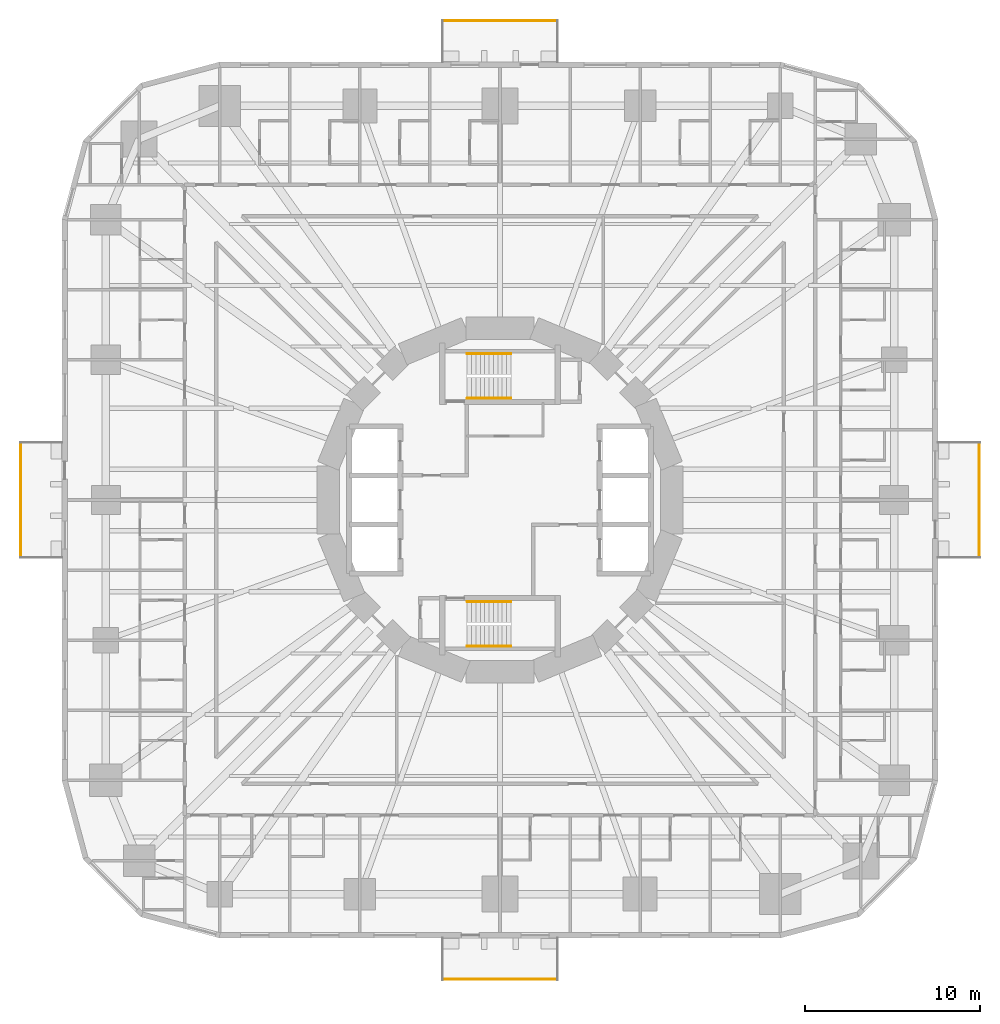
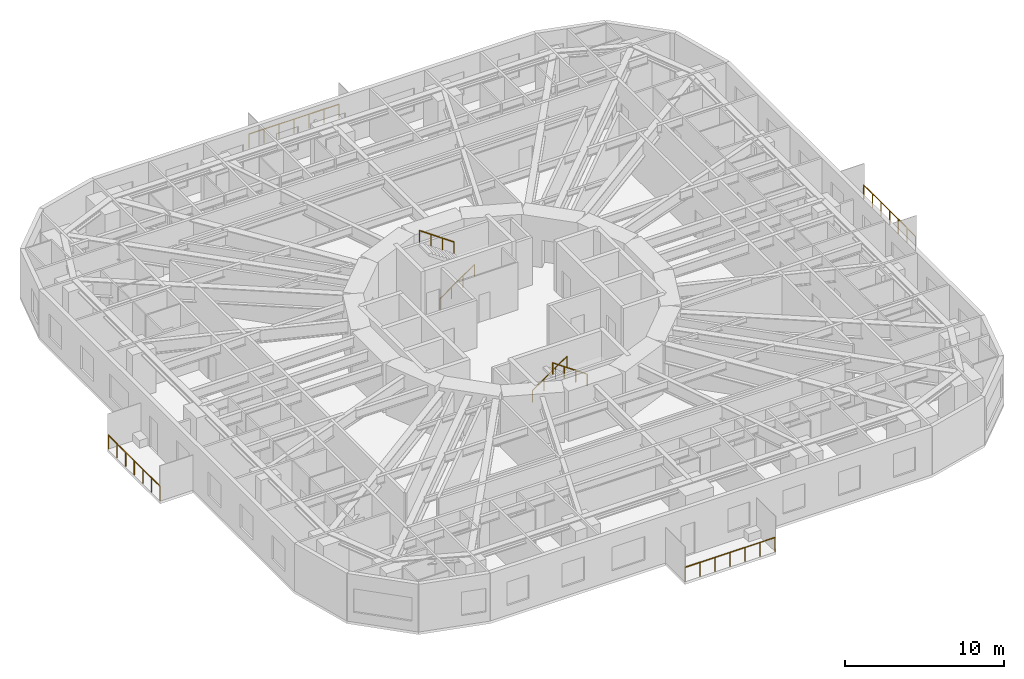
# One storey, part 13 of 14: 8 railings.
"""IFC4 building model written with IfcOpenShell, lengths in metres."""

from ifc_helpers import new_model, si_unit, direction, frame, origin, origin_2d, place, context, subcontext, project, spatial, circle, extrude, material, type_object, element, save


model = new_model("IFC4")

# Units and contexts
model_context = context("Model", 3, precision=1e-05, world=origin(), true_north=direction((0.0, 1.0)))
body_context = subcontext(model_context, "Body", "Model", "MODEL_VIEW")
ifc_project = project(units=[si_unit("LENGTHUNIT", "METRE"), si_unit("AREAUNIT", "SQUARE_METRE"), si_unit("VOLUMEUNIT", "CUBIC_METRE"), si_unit("PLANEANGLEUNIT", "RADIAN"), si_unit("MASSUNIT", "GRAM", prefix="KILO")], contexts=[model_context])

# Site, building, storey
site_placement = place(None, origin())
site = spatial("IfcSite", under=ifc_project, at=site_placement, CompositionType="ELEMENT")
building_placement = place(site_placement, origin())
building = spatial("IfcBuilding", under=site, at=building_placement, Name="Nakasero Lantern House", CompositionType="ELEMENT")
storey_placement = place(building_placement, frame((0.0, 0.0, 50.64990234375)))
storey = spatial("IfcBuildingStorey", under=building, at=storey_placement, Name="L12", CompositionType="ELEMENT", Elevation=50.64990234375)

# Railings
ifc_material_1 = material(Name="Aluminium 6063-T6", Category="aluminium")
railing_type_1 = type_object("IfcRailingType", Name="Balcony guard 1100", PredefinedType="BALUSTRADE", material=ifc_material_1)
railing_1_placement = place(storey_placement, frame((27.35009765625, -3.260009765625, 0.0)))
element("IfcRailing", 1, at=railing_1_placement, inside=storey, type_object=railing_type_1, Name="Balcony guard L12 BAL0", PredefinedType="BALUSTRADE", context=body_context, shape_type="SweptSolid", body=[
    extrude(circle(Radius=0.02392578125, at=origin_2d()), frame((0.0, 0.0, 1.076171875), z_axis=(0.0, 1.0, 0.0), x_axis=(-1.0, 0.0, 0.0)), (0.0, 0.0, 1.0), 6.52001953125),
    extrude(circle(Radius=0.02099609375, at=origin_2d()), origin(), (0.0, 0.0, 1.0), 1.052001953125),
    extrude(circle(Radius=0.02099609375, at=origin_2d()), frame((0.0, 1.086669921875, 0.0)), (0.0, 0.0, 1.0), 1.052001953125),
    extrude(circle(Radius=0.02099609375, at=origin_2d()), frame((0.0, 2.17333984375, 0.0)), (0.0, 0.0, 1.0), 1.052001953125),
    extrude(circle(Radius=0.02099609375, at=origin_2d()), frame((0.0, 3.260009765625, 0.0)), (0.0, 0.0, 1.0), 1.052001953125),
    extrude(circle(Radius=0.02099609375, at=origin_2d()), frame((0.0, 4.3466796875, 0.0)), (0.0, 0.0, 1.0), 1.052001953125),
    extrude(circle(Radius=0.02099609375, at=origin_2d()), frame((0.0, 5.433349609375, 0.0)), (0.0, 0.0, 1.0), 1.052001953125),
    extrude(circle(Radius=0.02099609375, at=origin_2d()), frame((0.0, 6.52001953125, 0.0)), (0.0, 0.0, 1.0), 1.052001953125),
])
railing_2_placement = place(storey_placement, frame((3.260009765625, 27.35009765625, 0.0)))
element("IfcRailing", 2, at=railing_2_placement, inside=storey, type_object=railing_type_1, Name="Balcony guard L12 BAL1", PredefinedType="BALUSTRADE", context=body_context, shape_type="SweptSolid", body=[
    extrude(circle(Radius=0.02392578125, at=origin_2d()), frame((0.0, 0.0, 1.076171875), z_axis=(-1.0, 0.0, 0.0), x_axis=(0.0, -1.0, 0.0)), (0.0, 0.0, 1.0), 6.52001953125),
    extrude(circle(Radius=0.02099609375, at=origin_2d()), origin(), (0.0, 0.0, 1.0), 1.052001953125),
    extrude(circle(Radius=0.02099609375, at=origin_2d()), frame((-1.086669921875, 0.0, 0.0)), (0.0, 0.0, 1.0), 1.052001953125),
    extrude(circle(Radius=0.02099609375, at=origin_2d()), frame((-2.17333984375, 0.0, 0.0)), (0.0, 0.0, 1.0), 1.052001953125),
    extrude(circle(Radius=0.02099609375, at=origin_2d()), frame((-3.260009765625, 0.0, 0.0)), (0.0, 0.0, 1.0), 1.052001953125),
    extrude(circle(Radius=0.02099609375, at=origin_2d()), frame((-4.3466796875, 0.0, 0.0)), (0.0, 0.0, 1.0), 1.052001953125),
    extrude(circle(Radius=0.02099609375, at=origin_2d()), frame((-5.433349609375, 0.0, 0.0)), (0.0, 0.0, 1.0), 1.052001953125),
    extrude(circle(Radius=0.02099609375, at=origin_2d()), frame((-6.52001953125, 0.0, 0.0)), (0.0, 0.0, 1.0), 1.052001953125),
])
railing_3_placement = place(storey_placement, frame((-27.35009765625, 3.260009765625, 0.0)))
element("IfcRailing", 3, at=railing_3_placement, inside=storey, type_object=railing_type_1, Name="Balcony guard L12 BAL2", PredefinedType="BALUSTRADE", context=body_context, shape_type="SweptSolid", body=[
    extrude(circle(Radius=0.02392578125, at=origin_2d()), frame((0.0, 0.0, 1.076171875), z_axis=(0.0, -1.0, 0.0), x_axis=(1.0, 0.0, 0.0)), (0.0, 0.0, 1.0), 6.52001953125),
    extrude(circle(Radius=0.02099609375, at=origin_2d()), origin(), (0.0, 0.0, 1.0), 1.052001953125),
    extrude(circle(Radius=0.02099609375, at=origin_2d()), frame((0.0, -1.086669921875, 0.0)), (0.0, 0.0, 1.0), 1.052001953125),
    extrude(circle(Radius=0.02099609375, at=origin_2d()), frame((0.0, -2.17333984375, 0.0)), (0.0, 0.0, 1.0), 1.052001953125),
    extrude(circle(Radius=0.02099609375, at=origin_2d()), frame((0.0, -3.260009765625, 0.0)), (0.0, 0.0, 1.0), 1.052001953125),
    extrude(circle(Radius=0.02099609375, at=origin_2d()), frame((0.0, -4.3466796875, 0.0)), (0.0, 0.0, 1.0), 1.052001953125),
    extrude(circle(Radius=0.02099609375, at=origin_2d()), frame((0.0, -5.433349609375, 0.0)), (0.0, 0.0, 1.0), 1.052001953125),
    extrude(circle(Radius=0.02099609375, at=origin_2d()), frame((0.0, -6.52001953125, 0.0)), (0.0, 0.0, 1.0), 1.052001953125),
])
railing_4_placement = place(storey_placement, frame((-3.260009765625, -27.35009765625, 0.0)))
element("IfcRailing", 4, at=railing_4_placement, inside=storey, type_object=railing_type_1, Name="Balcony guard L12 BAL3", PredefinedType="BALUSTRADE", context=body_context, shape_type="SweptSolid", body=[
    extrude(circle(Radius=0.02392578125, at=origin_2d()), frame((0.0, 0.0, 1.076171875), z_axis=(1.0, 0.0, 0.0), x_axis=(0.0, 1.0, 0.0)), (0.0, 0.0, 1.0), 6.52001953125),
    extrude(circle(Radius=0.02099609375, at=origin_2d()), origin(), (0.0, 0.0, 1.0), 1.052001953125),
    extrude(circle(Radius=0.02099609375, at=origin_2d()), frame((1.086669921875, 0.0, 0.0)), (0.0, 0.0, 1.0), 1.052001953125),
    extrude(circle(Radius=0.02099609375, at=origin_2d()), frame((2.17333984375, 0.0, 0.0)), (0.0, 0.0, 1.0), 1.052001953125),
    extrude(circle(Radius=0.02099609375, at=origin_2d()), frame((3.260009765625, 0.0, 0.0)), (0.0, 0.0, 1.0), 1.052001953125),
    extrude(circle(Radius=0.02099609375, at=origin_2d()), frame((4.3466796875, 0.0, 0.0)), (0.0, 0.0, 1.0), 1.052001953125),
    extrude(circle(Radius=0.02099609375, at=origin_2d()), frame((5.433349609375, 0.0, 0.0)), (0.0, 0.0, 1.0), 1.052001953125),
    extrude(circle(Radius=0.02099609375, at=origin_2d()), frame((6.52001953125, 0.0, 0.0)), (0.0, 0.0, 1.0), 1.052001953125),
])
ifc_material_2 = material(Name="Stainless steel 316", Category="steel")
railing_type_2 = type_object("IfcRailingType", Name="Stair handrail 900", PredefinedType="HANDRAIL", material=ifc_material_2)
railing_5_placement = place(storey_placement, frame((-1.875, 5.800048828125, 0.175048828125)))
element("IfcRailing", 5, at=railing_5_placement, inside=storey, type_object=railing_type_2, Name="Handrail ST1 L12 flight 1", PredefinedType="HANDRAIL", context=body_context, shape_type="SweptSolid", body=[
    extrude(circle(Radius=0.02392578125, at=origin_2d()), frame((0.0, 0.0, 0.8759765625), z_axis=(0.819231920519, 0.0, 0.573462344363), x_axis=(0.0, 1.0, 0.0)), (0.0, 0.0, 1.0), 3.0517578125),
    extrude(circle(Radius=0.02099609375, at=origin_2d()), origin(), (0.0, 0.0, 1.0), 0.851806640625),
    extrude(circle(Radius=0.02099609375, at=origin_2d()), frame((0.833251953125, 0.0, 0.583251953125)), (0.0, 0.0, 1.0), 0.851806640625),
    extrude(circle(Radius=0.02099609375, at=origin_2d()), frame((1.666748046875, 0.0, 1.166748046875)), (0.0, 0.0, 1.0), 0.851806640625),
    extrude(circle(Radius=0.02099609375, at=origin_2d()), frame((2.5, 0.0, 1.75)), (0.0, 0.0, 1.0), 0.851806640625),
])
railing_6_placement = place(storey_placement, frame((0.625, 8.35009765625, 2.10009765625)))
element("IfcRailing", 6, at=railing_6_placement, inside=storey, type_object=railing_type_2, Name="Handrail ST1 L12 flight 2", PredefinedType="HANDRAIL", context=body_context, shape_type="SweptSolid", body=[
    extrude(circle(Radius=0.02392578125, at=origin_2d()), frame((0.0, 0.0, 0.8759765625), z_axis=(-0.819231920519, 0.0, 0.573462344363), x_axis=(0.0, -1.0, 0.0)), (0.0, 0.0, 1.0), 3.0517578125),
    extrude(circle(Radius=0.02099609375, at=origin_2d()), origin(), (0.0, 0.0, 1.0), 0.851806640625),
    extrude(circle(Radius=0.02099609375, at=origin_2d()), frame((-0.833251953125, 0.0, 0.583251953125)), (0.0, 0.0, 1.0), 0.851806640625),
    extrude(circle(Radius=0.02099609375, at=origin_2d()), frame((-1.666748046875, 0.0, 1.166748046875)), (0.0, 0.0, 1.0), 0.851806640625),
    extrude(circle(Radius=0.02099609375, at=origin_2d()), frame((-2.5, 0.0, 1.75)), (0.0, 0.0, 1.0), 0.851806640625),
])
railing_7_placement = place(storey_placement, frame((-1.875, -5.800048828125, 0.175048828125)))
element("IfcRailing", 7, at=railing_7_placement, inside=storey, type_object=railing_type_2, Name="Handrail ST2 L12 flight 1", PredefinedType="HANDRAIL", context=body_context, shape_type="SweptSolid", body=[
    extrude(circle(Radius=0.02392578125, at=origin_2d()), frame((0.0, 0.0, 0.8759765625), z_axis=(0.819231920519, 0.0, 0.573462344363), x_axis=(0.0, 1.0, 0.0)), (0.0, 0.0, 1.0), 3.0517578125),
    extrude(circle(Radius=0.02099609375, at=origin_2d()), origin(), (0.0, 0.0, 1.0), 0.851806640625),
    extrude(circle(Radius=0.02099609375, at=origin_2d()), frame((0.833251953125, 0.0, 0.583251953125)), (0.0, 0.0, 1.0), 0.851806640625),
    extrude(circle(Radius=0.02099609375, at=origin_2d()), frame((1.666748046875, 0.0, 1.166748046875)), (0.0, 0.0, 1.0), 0.851806640625),
    extrude(circle(Radius=0.02099609375, at=origin_2d()), frame((2.5, 0.0, 1.75)), (0.0, 0.0, 1.0), 0.851806640625),
])
railing_8_placement = place(storey_placement, frame((0.625, -8.35009765625, 2.10009765625)))
element("IfcRailing", 8, at=railing_8_placement, inside=storey, type_object=railing_type_2, Name="Handrail ST2 L12 flight 2", PredefinedType="HANDRAIL", context=body_context, shape_type="SweptSolid", body=[
    extrude(circle(Radius=0.02392578125, at=origin_2d()), frame((0.0, 0.0, 0.8759765625), z_axis=(-0.819231920519, 0.0, 0.573462344363), x_axis=(0.0, -1.0, 0.0)), (0.0, 0.0, 1.0), 3.0517578125),
    extrude(circle(Radius=0.02099609375, at=origin_2d()), origin(), (0.0, 0.0, 1.0), 0.851806640625),
    extrude(circle(Radius=0.02099609375, at=origin_2d()), frame((-0.833251953125, 0.0, 0.583251953125)), (0.0, 0.0, 1.0), 0.851806640625),
    extrude(circle(Radius=0.02099609375, at=origin_2d()), frame((-1.666748046875, 0.0, 1.166748046875)), (0.0, 0.0, 1.0), 0.851806640625),
    extrude(circle(Radius=0.02099609375, at=origin_2d()), frame((-2.5, 0.0, 1.75)), (0.0, 0.0, 1.0), 0.851806640625),
])

save(model, "model.ifc")
